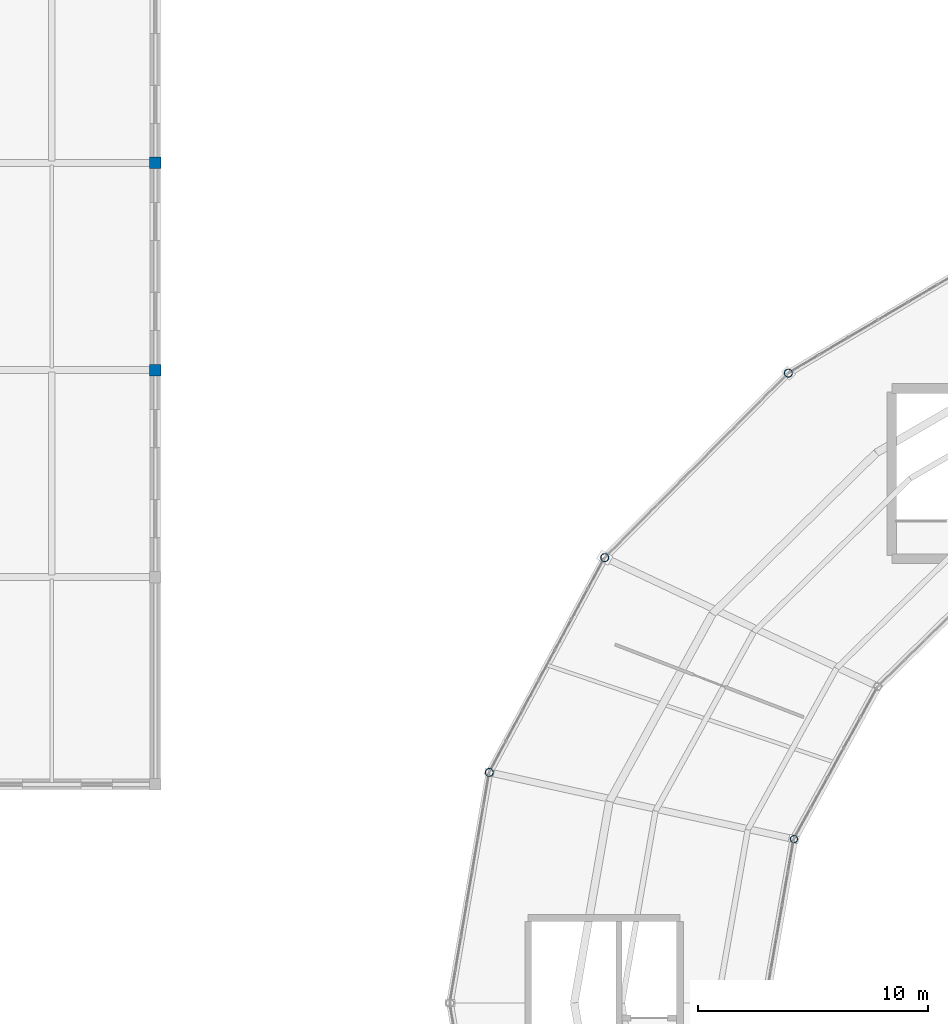
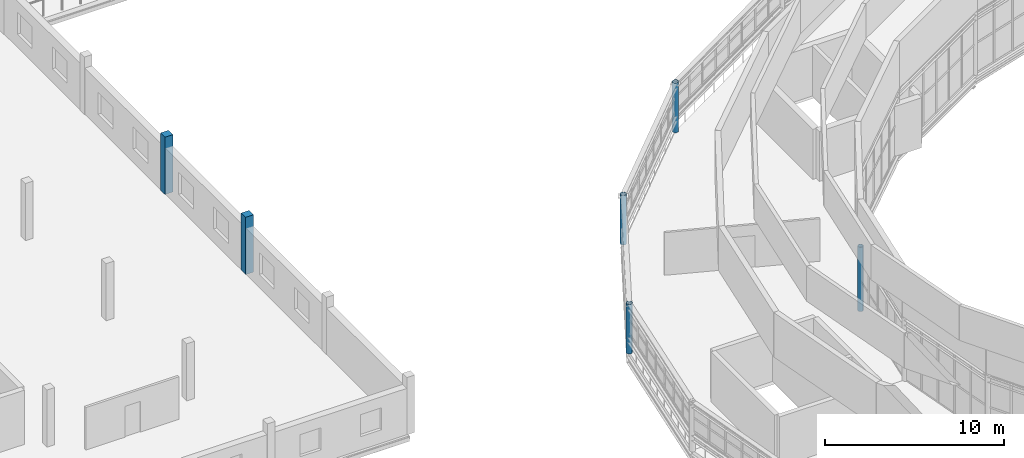
# One storey, part 10 of 123: 6 columns.
"""IFC4 building model written with IfcOpenShell, lengths in metres."""

from ifc_helpers import new_model, si_unit, direction, frame, origin, origin_2d, place, context, subcontext, project, spatial, rectangle, hollow_circle, extrude, material, material_profile, profile_set, type_object, element, save


model = new_model("IFC4")

# Units and contexts
model_context = context("Model", 3, precision=1e-05, world=origin(), true_north=direction((0.0, 1.0)))
body_context = subcontext(model_context, "Body", "Model", "MODEL_VIEW")
ifc_project = project(units=[si_unit("LENGTHUNIT", "METRE"), si_unit("AREAUNIT", "SQUARE_METRE"), si_unit("VOLUMEUNIT", "CUBIC_METRE"), si_unit("PLANEANGLEUNIT", "RADIAN"), si_unit("MASSUNIT", "GRAM", prefix="KILO")], contexts=[model_context])

# Site, building, storey
site_placement = place(None, origin())
site = spatial("IfcSite", under=ifc_project, at=site_placement, CompositionType="ELEMENT")
building_placement = place(site_placement, origin())
building = spatial("IfcBuilding", under=site, at=building_placement, Name="Kildeholm Park Wholesale Market", CompositionType="ELEMENT")
storey_placement = place(building_placement, frame((0.0, 0.0, 9.60009765625)))
storey = spatial("IfcBuildingStorey", under=building, at=storey_placement, Name="L02", CompositionType="ELEMENT", Elevation=9.60009765625)

# Columns
ifc_material_1 = material(Name="Concrete C40/50", Category="concrete")
ifc_material_profile_1 = material_profile(ifc_material_1, rectangle(XDim=0.5, YDim=0.5, at=origin_2d()), Name="RC 500x500")
ifc_profile_set_1 = profile_set([ifc_material_profile_1], Name="Concrete C40/50")
column_type_1 = type_object("IfcColumnType", Name="Column C-R01 RC 500x500", PredefinedType="COLUMN", material=ifc_profile_set_1)
for number, where, z_axis, x_axis, name in (
    (1, (36.0, 117.0, 0.0), (0.0, 0.0, 1.0), (1.0, 0.0, 0.0), "Column V4-036-117 L02 COL-0445"),
    (2, (36.0, 126.0, 0.0), (0.0, 0.0, 1.0), (1.0, 0.0, 0.0), "Column V4-036-126 L02 COL-0448"),
):
    element("IfcColumn", number, at=place(storey_placement, frame(where, z_axis=z_axis, x_axis=x_axis)), inside=storey, type_object=column_type_1, Name=name, PredefinedType="COLUMN", context=body_context, shape_type="SweptSolid", body=[
        extrude(rectangle(XDim=0.5, YDim=0.5, at=origin_2d()), origin(), (0.0, 0.0, 1.0), 3.89990234375),
    ])
ifc_material_2 = material(Name="Steel S355", Category="steel")
ifc_material_profile_2 = material_profile(ifc_material_2, hollow_circle(Radius=0.161865234375, WallThickness=0.01611328125, at=origin_2d()), Name="CHS 323.9x16")
ifc_profile_set_2 = profile_set([ifc_material_profile_2], Name="Steel S355")
column_type_2 = type_object("IfcColumnType", Name="Column C-S09 CHS 323.9x16", PredefinedType="COLUMN", material=ifc_profile_set_2)
column_placement = place(storey_placement, frame((63.743896484375, 96.617919921875, 0.0), z_axis=(0.0, 0.0, 1.0), x_axis=(-0.965925826289, 0.258819045103, 0.0)))
element("IfcColumn", 3, at=column_placement, inside=storey, type_object=column_type_2, Name="Column V1-IN-11 L02 COL-0102", PredefinedType="COLUMN", context=body_context, shape_type="SweptSolid", body=[
    extrude(hollow_circle(Radius=0.161865234375, WallThickness=0.01611328125, at=origin_2d()), origin(), (0.0, 0.0, 1.0), 4.3798828125),
])
ifc_material_profile_3 = material_profile(ifc_material_2, hollow_circle(Radius=0.177734375, WallThickness=0.01611328125, at=origin_2d()), Name="CHS 355.6x16")
ifc_profile_set_3 = profile_set([ifc_material_profile_3], Name="Steel S355")
column_type_3 = type_object("IfcColumnType", Name="Column C-S10 CHS 355.6x16", PredefinedType="COLUMN", material=ifc_profile_set_3)
for number, where, z_axis, x_axis, name in (
    (4, (63.5029296875, 116.864990234375, 0.0), (0.0, 0.0, 1.0), (-0.707106781187, 0.707106781187, 0.0), "Column V1-MD-09 L02 COL-0087"),
    (5, (55.52587890625, 108.85009765625, 0.0), (0.0, 0.0, 1.0), (-0.866025403784, 0.5, 0.0), "Column V1-MD-10 L02 COL-0096"),
    (6, (50.510986328125, 99.51611328125, 0.0), (0.0, 0.0, 1.0), (-0.965925826289, 0.258819045103, 0.0), "Column V1-MD-11 L02 COL-0105"),
):
    element("IfcColumn", number, at=place(storey_placement, frame(where, z_axis=z_axis, x_axis=x_axis)), inside=storey, type_object=column_type_3, Name=name, PredefinedType="COLUMN", context=body_context, shape_type="SweptSolid", body=[
        extrude(hollow_circle(Radius=0.177734375, WallThickness=0.01611328125, at=origin_2d()), origin(), (0.0, 0.0, 1.0), 3.3798828125),
    ])

save(model, "model.ifc")
